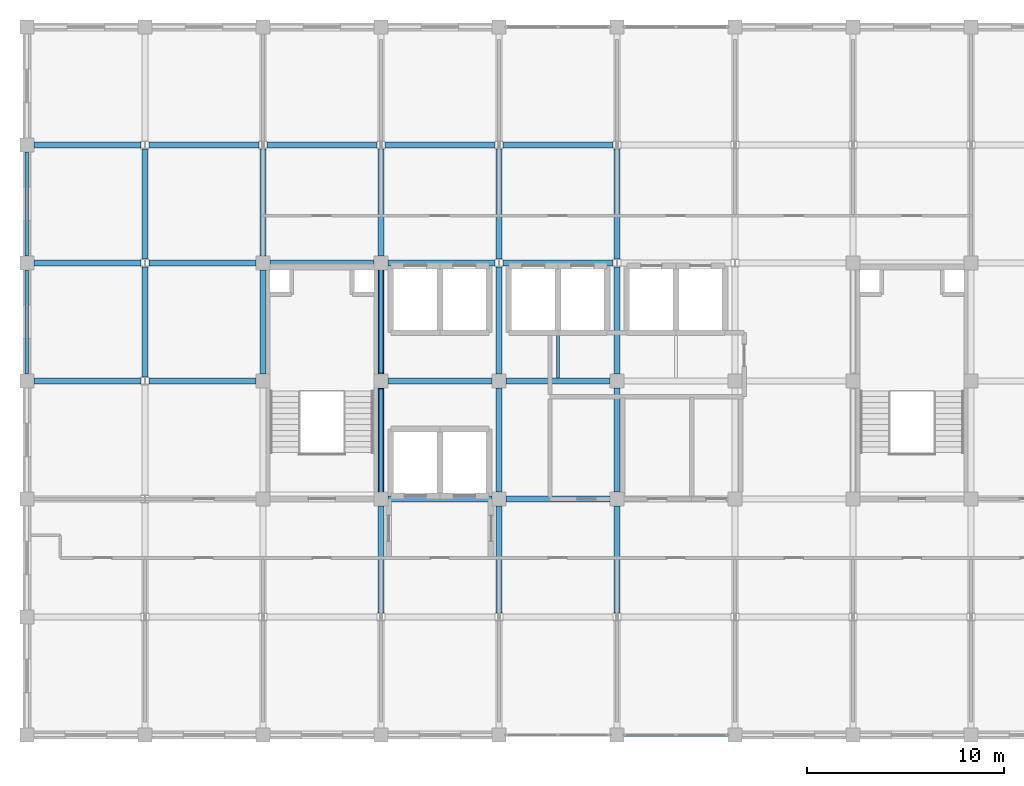
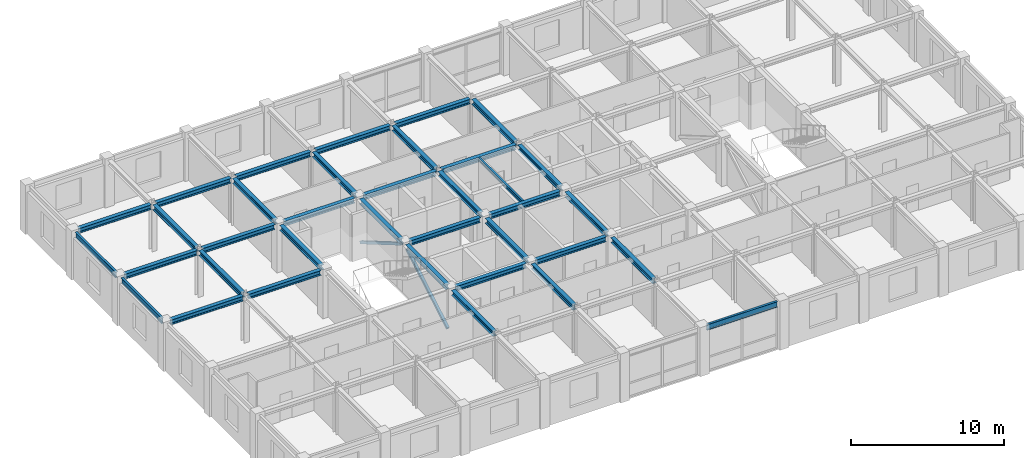
# One storey, part 5 of 14: 36 beams, 2 members.
"""IFC4 building model written with IfcOpenShell, lengths in metres."""

from ifc_helpers import new_model, si_unit, direction, frame, origin, origin_2d, place, context, subcontext, project, spatial, hollow_rectangle, i_section, extrude, material, material_profile, profile_set, type_object, element, save


model = new_model("IFC4")

# Units and contexts
model_context = context("Model", 3, precision=1e-05, world=origin(), true_north=direction((0.0, 1.0)))
body_context = subcontext(model_context, "Body", "Model", "MODEL_VIEW")
ifc_project = project(units=[si_unit("LENGTHUNIT", "METRE"), si_unit("AREAUNIT", "SQUARE_METRE"), si_unit("VOLUMEUNIT", "CUBIC_METRE"), si_unit("PLANEANGLEUNIT", "RADIAN"), si_unit("MASSUNIT", "GRAM", prefix="KILO")], contexts=[model_context])

# Site, building, storey
site_placement = place(None, origin())
site = spatial("IfcSite", under=ifc_project, at=site_placement, CompositionType="ELEMENT")
building_placement = place(site_placement, origin())
building = spatial("IfcBuilding", under=site, at=building_placement, Name="Zlatovratsky Civic Hall", CompositionType="ELEMENT")
storey_placement = place(building_placement, frame((0.0, 0.0, 28.800048828125)))
storey = spatial("IfcBuildingStorey", under=building, at=storey_placement, Name="L07", CompositionType="ELEMENT", Elevation=28.800048828125)

# Beams
ifc_material = material(Name="Steel S355", Category="steel")
ifc_material_profile_1 = material_profile(ifc_material, i_section(OverallWidth=0.169921875, OverallDepth=0.446044921875, WebThickness=0.007568359375, FlangeThickness=0.010986328125, FilletRadius=0.01611328125, at=origin_2d()), Name="45B1")
ifc_profile_set_1 = profile_set([ifc_material_profile_1], Name="Steel S355")
beam_type_1 = type_object("IfcBeamType", Name="Beam_Spandrel_45B1", PredefinedType="SPANDREL", material=ifc_profile_set_1)
for number, where, z_axis, x_axis, name in (
    (1, (84.35009765625, 72.0, 3.516845703125), (1.0, 0.0, 0.0), (0.0, 1.0, 0.0), "BM-4250"),
    (2, (54.0, 90.35009765625, 3.516845703125), (0.0, 1.0, 0.0), (-1.0, 0.0, 0.0), "BM-4316"),
    (3, (54.0, 96.35009765625, 3.516845703125), (0.0, 1.0, 0.0), (-1.0, 0.0, 0.0), "BM-4317"),
):
    element("IfcBeam", number, at=place(storey_placement, frame(where, z_axis=z_axis, x_axis=x_axis)), inside=storey, type_object=beam_type_1, Name=name, PredefinedType="SPANDREL", context=body_context, shape_type="SweptSolid", body=[
        extrude(i_section(OverallWidth=0.169921875, OverallDepth=0.446044921875, WebThickness=0.007568359375, FlangeThickness=0.010986328125, FilletRadius=0.01611328125, at=origin_2d()), origin(), (0.0, 0.0, 1.0), 5.2998046875),
    ])
ifc_material_profile_2 = material_profile(ifc_material, i_section(OverallWidth=0.300048828125, OverallDepth=0.387939453125, WebThickness=0.009521484375, FlangeThickness=0.013916015625, FilletRadius=0.02197265625, at=origin_2d()), Name="40Sh1")
ifc_profile_set_2 = profile_set([ifc_material_profile_2], Name="Steel S355")
beam_type_2 = type_object("IfcBeamType", Name="Beam_TowerMid_40Sh1", PredefinedType="BEAM", material=ifc_profile_set_2)
for number, where, z_axis, x_axis, name in (
    (4, (72.35009765625, 84.0, 3.5458984375), (1.0, 0.0, 0.0), (0.0, 1.0, 0.0), "BM-4268"),
    (5, (78.35009765625, 84.0, 3.5458984375), (1.0, 0.0, 0.0), (0.0, 1.0, 0.0), "BM-4269"),
):
    element("IfcBeam", number, at=place(storey_placement, frame(where, z_axis=z_axis, x_axis=x_axis)), inside=storey, type_object=beam_type_2, Name=name, PredefinedType="BEAM", context=body_context, shape_type="SweptSolid", body=[
        extrude(i_section(OverallWidth=0.300048828125, OverallDepth=0.387939453125, WebThickness=0.009521484375, FlangeThickness=0.013916015625, FilletRadius=0.02197265625, at=origin_2d()), origin(), (0.0, 0.0, 1.0), 5.2998046875),
    ])
for number, where, z_axis, x_axis, name in (
    (6, (54.35009765625, 90.0, 3.5458984375), (1.0, 0.0, 0.0), (0.0, 1.0, 0.0), "BM-4275"),
    (7, (60.198974609375, 90.0, 3.5458984375), (1.0, 0.0, 0.0), (0.0, 1.0, 0.0), "BM-4276"),
):
    element("IfcBeam", number, at=place(storey_placement, frame(where, z_axis=z_axis, x_axis=x_axis)), inside=storey, type_object=beam_type_2, Name=name, PredefinedType="BEAM", context=body_context, shape_type="SweptSolid", body=[
        extrude(i_section(OverallWidth=0.300048828125, OverallDepth=0.387939453125, WebThickness=0.009521484375, FlangeThickness=0.013916015625, FilletRadius=0.02197265625, at=origin_2d()), origin(), (0.0, 0.0, 1.0), 5.450927734375),
    ])
for number, where, z_axis, x_axis, name in (
    (8, (72.35009765625, 90.0, 3.5458984375), (1.0, 0.0, 0.0), (0.0, 1.0, 0.0), "BM-4277"),
    (9, (78.35009765625, 90.0, 3.5458984375), (1.0, 0.0, 0.0), (0.0, 1.0, 0.0), "BM-4278"),
):
    element("IfcBeam", number, at=place(storey_placement, frame(where, z_axis=z_axis, x_axis=x_axis)), inside=storey, type_object=beam_type_2, Name=name, PredefinedType="BEAM", context=body_context, shape_type="SweptSolid", body=[
        extrude(i_section(OverallWidth=0.300048828125, OverallDepth=0.387939453125, WebThickness=0.009521484375, FlangeThickness=0.013916015625, FilletRadius=0.02197265625, at=origin_2d()), origin(), (0.0, 0.0, 1.0), 5.2998046875),
    ])
for number, where, z_axis, x_axis, name in (
    (10, (54.35009765625, 96.0, 3.5458984375), (1.0, 0.0, 0.0), (0.0, 1.0, 0.0), "BM-4283"),
    (11, (60.198974609375, 96.0, 3.5458984375), (1.0, 0.0, 0.0), (0.0, 1.0, 0.0), "BM-4284"),
):
    element("IfcBeam", number, at=place(storey_placement, frame(where, z_axis=z_axis, x_axis=x_axis)), inside=storey, type_object=beam_type_2, Name=name, PredefinedType="BEAM", context=body_context, shape_type="SweptSolid", body=[
        extrude(i_section(OverallWidth=0.300048828125, OverallDepth=0.387939453125, WebThickness=0.009521484375, FlangeThickness=0.013916015625, FilletRadius=0.02197265625, at=origin_2d()), origin(), (0.0, 0.0, 1.0), 5.450927734375),
    ])
beam_1_placement = place(storey_placement, frame((66.35009765625, 96.0, 3.5458984375), z_axis=(1.0, 0.0, 0.0), x_axis=(0.0, 1.0, 0.0)))
element("IfcBeam", 12, at=beam_1_placement, inside=storey, type_object=beam_type_2, Name="BM-4285", PredefinedType="BEAM", context=body_context, shape_type="SweptSolid", body=[
    extrude(i_section(OverallWidth=0.300048828125, OverallDepth=0.387939453125, WebThickness=0.009521484375, FlangeThickness=0.013916015625, FilletRadius=0.02197265625, at=origin_2d()), origin(), (0.0, 0.0, 1.0), 5.2998046875),
])
beam_2_placement = place(storey_placement, frame((72.35009765625, 96.0, 3.5458984375), z_axis=(1.0, 0.0, 0.0), x_axis=(0.0, 1.0, 0.0)))
element("IfcBeam", 13, at=beam_2_placement, inside=storey, type_object=beam_type_2, Name="BM-4286", PredefinedType="BEAM", context=body_context, shape_type="SweptSolid", body=[
    extrude(i_section(OverallWidth=0.300048828125, OverallDepth=0.387939453125, WebThickness=0.009521484375, FlangeThickness=0.013916015625, FilletRadius=0.02197265625, at=origin_2d()), origin(), (0.0, 0.0, 1.0), 5.450927734375),
])
beam_3_placement = place(storey_placement, frame((78.198974609375, 96.0, 3.5458984375), z_axis=(1.0, 0.0, 0.0), x_axis=(0.0, 1.0, 0.0)))
element("IfcBeam", 14, at=beam_3_placement, inside=storey, type_object=beam_type_2, Name="BM-4287", PredefinedType="BEAM", context=body_context, shape_type="SweptSolid", body=[
    extrude(i_section(OverallWidth=0.300048828125, OverallDepth=0.387939453125, WebThickness=0.009521484375, FlangeThickness=0.013916015625, FilletRadius=0.02197265625, at=origin_2d()), origin(), (0.0, 0.0, 1.0), 5.60205078125),
])
beam_4_placement = place(storey_placement, frame((54.35009765625, 102.0, 3.5458984375), z_axis=(1.0, 0.0, 0.0), x_axis=(0.0, 1.0, 0.0)))
element("IfcBeam", 15, at=beam_4_placement, inside=storey, type_object=beam_type_2, Name="BM-4293", PredefinedType="BEAM", context=body_context, shape_type="SweptSolid", body=[
    extrude(i_section(OverallWidth=0.300048828125, OverallDepth=0.387939453125, WebThickness=0.009521484375, FlangeThickness=0.013916015625, FilletRadius=0.02197265625, at=origin_2d()), origin(), (0.0, 0.0, 1.0), 5.450927734375),
])
for number, where, z_axis, x_axis, name in (
    (16, (60.198974609375, 102.0, 3.5458984375), (1.0, 0.0, 0.0), (0.0, 1.0, 0.0), "BM-4294"),
    (17, (66.198974609375, 102.0, 3.5458984375), (1.0, 0.0, 0.0), (0.0, 1.0, 0.0), "BM-4295"),
    (18, (72.198974609375, 102.0, 3.5458984375), (1.0, 0.0, 0.0), (0.0, 1.0, 0.0), "BM-4296"),
    (19, (78.198974609375, 102.0, 3.5458984375), (1.0, 0.0, 0.0), (0.0, 1.0, 0.0), "BM-4297"),
):
    element("IfcBeam", number, at=place(storey_placement, frame(where, z_axis=z_axis, x_axis=x_axis)), inside=storey, type_object=beam_type_2, Name=name, PredefinedType="BEAM", context=body_context, shape_type="SweptSolid", body=[
        extrude(i_section(OverallWidth=0.300048828125, OverallDepth=0.387939453125, WebThickness=0.009521484375, FlangeThickness=0.013916015625, FilletRadius=0.02197265625, at=origin_2d()), origin(), (0.0, 0.0, 1.0), 5.60205078125),
    ])
for number, where, z_axis, x_axis, name in (
    (20, (60.0, 90.197021484375, 3.5458984375), (0.0, 1.0, 0.0), (-1.0, 0.0, 0.0), "BM-4322"),
    (21, (60.0, 96.197021484375, 3.5458984375), (0.0, 1.0, 0.0), (-1.0, 0.0, 0.0), "BM-4323"),
):
    element("IfcBeam", number, at=place(storey_placement, frame(where, z_axis=z_axis, x_axis=x_axis)), inside=storey, type_object=beam_type_2, Name=name, PredefinedType="BEAM", context=body_context, shape_type="SweptSolid", body=[
        extrude(i_section(OverallWidth=0.300048828125, OverallDepth=0.387939453125, WebThickness=0.009521484375, FlangeThickness=0.013916015625, FilletRadius=0.02197265625, at=origin_2d()), origin(), (0.0, 0.0, 1.0), 5.60595703125),
    ])
beam_5_placement = place(storey_placement, frame((66.0, 90.35009765625, 3.5458984375), z_axis=(0.0, 1.0, 0.0), x_axis=(-1.0, 0.0, 0.0)))
element("IfcBeam", 22, at=beam_5_placement, inside=storey, type_object=beam_type_2, Name="BM-4328", PredefinedType="BEAM", context=body_context, shape_type="SweptSolid", body=[
    extrude(i_section(OverallWidth=0.300048828125, OverallDepth=0.387939453125, WebThickness=0.009521484375, FlangeThickness=0.013916015625, FilletRadius=0.02197265625, at=origin_2d()), origin(), (0.0, 0.0, 1.0), 5.2998046875),
])
for number, where, z_axis, x_axis, name in (
    (23, (66.0, 96.35009765625, 3.5458984375), (0.0, 1.0, 0.0), (-1.0, 0.0, 0.0), "BM-4329"),
    (24, (72.0, 78.197021484375, 3.5458984375), (0.0, 1.0, 0.0), (-1.0, 0.0, 0.0), "BM-4332"),
):
    element("IfcBeam", number, at=place(storey_placement, frame(where, z_axis=z_axis, x_axis=x_axis)), inside=storey, type_object=beam_type_2, Name=name, PredefinedType="BEAM", context=body_context, shape_type="SweptSolid", body=[
        extrude(i_section(OverallWidth=0.300048828125, OverallDepth=0.387939453125, WebThickness=0.009521484375, FlangeThickness=0.013916015625, FilletRadius=0.02197265625, at=origin_2d()), origin(), (0.0, 0.0, 1.0), 5.452880859375),
    ])
for number, where, z_axis, x_axis, name in (
    (25, (72.0, 84.35009765625, 3.5458984375), (0.0, 1.0, 0.0), (-1.0, 0.0, 0.0), "BM-4333"),
    (26, (72.0, 90.35009765625, 3.5458984375), (0.0, 1.0, 0.0), (-1.0, 0.0, 0.0), "BM-4334"),
):
    element("IfcBeam", number, at=place(storey_placement, frame(where, z_axis=z_axis, x_axis=x_axis)), inside=storey, type_object=beam_type_2, Name=name, PredefinedType="BEAM", context=body_context, shape_type="SweptSolid", body=[
        extrude(i_section(OverallWidth=0.300048828125, OverallDepth=0.387939453125, WebThickness=0.009521484375, FlangeThickness=0.013916015625, FilletRadius=0.02197265625, at=origin_2d()), origin(), (0.0, 0.0, 1.0), 5.2998046875),
    ])
for number, where, z_axis, x_axis, name in (
    (27, (72.0, 96.35009765625, 3.5458984375), (0.0, 1.0, 0.0), (-1.0, 0.0, 0.0), "BM-4335"),
    (28, (78.0, 78.197021484375, 3.5458984375), (0.0, 1.0, 0.0), (-1.0, 0.0, 0.0), "BM-4338"),
):
    element("IfcBeam", number, at=place(storey_placement, frame(where, z_axis=z_axis, x_axis=x_axis)), inside=storey, type_object=beam_type_2, Name=name, PredefinedType="BEAM", context=body_context, shape_type="SweptSolid", body=[
        extrude(i_section(OverallWidth=0.300048828125, OverallDepth=0.387939453125, WebThickness=0.009521484375, FlangeThickness=0.013916015625, FilletRadius=0.02197265625, at=origin_2d()), origin(), (0.0, 0.0, 1.0), 5.452880859375),
    ])
beam_6_placement = place(storey_placement, frame((78.0, 84.35009765625, 3.5458984375), z_axis=(0.0, 1.0, 0.0), x_axis=(-1.0, 0.0, 0.0)))
element("IfcBeam", 29, at=beam_6_placement, inside=storey, type_object=beam_type_2, Name="BM-4339", PredefinedType="BEAM", context=body_context, shape_type="SweptSolid", body=[
    extrude(i_section(OverallWidth=0.300048828125, OverallDepth=0.387939453125, WebThickness=0.009521484375, FlangeThickness=0.013916015625, FilletRadius=0.02197265625, at=origin_2d()), origin(), (0.0, 0.0, 1.0), 5.2998046875),
])
beam_7_placement = place(storey_placement, frame((78.0, 90.35009765625, 3.5458984375), z_axis=(0.0, 1.0, 0.0), x_axis=(-1.0, 0.0, 0.0)))
element("IfcBeam", 30, at=beam_7_placement, inside=storey, type_object=beam_type_2, Name="BM-4340", PredefinedType="BEAM", context=body_context, shape_type="SweptSolid", body=[
    extrude(i_section(OverallWidth=0.300048828125, OverallDepth=0.387939453125, WebThickness=0.009521484375, FlangeThickness=0.013916015625, FilletRadius=0.02197265625, at=origin_2d()), origin(), (0.0, 0.0, 1.0), 5.452880859375),
])
beam_8_placement = place(storey_placement, frame((78.0, 96.197021484375, 3.5458984375), z_axis=(0.0, 1.0, 0.0), x_axis=(-1.0, 0.0, 0.0)))
element("IfcBeam", 31, at=beam_8_placement, inside=storey, type_object=beam_type_2, Name="BM-4341", PredefinedType="BEAM", context=body_context, shape_type="SweptSolid", body=[
    extrude(i_section(OverallWidth=0.300048828125, OverallDepth=0.387939453125, WebThickness=0.009521484375, FlangeThickness=0.013916015625, FilletRadius=0.02197265625, at=origin_2d()), origin(), (0.0, 0.0, 1.0), 5.60595703125),
])
beam_9_placement = place(storey_placement, frame((84.0, 78.197021484375, 3.5458984375), z_axis=(0.0, 1.0, 0.0), x_axis=(-1.0, 0.0, 0.0)))
element("IfcBeam", 32, at=beam_9_placement, inside=storey, type_object=beam_type_2, Name="BM-4344", PredefinedType="BEAM", context=body_context, shape_type="SweptSolid", body=[
    extrude(i_section(OverallWidth=0.300048828125, OverallDepth=0.387939453125, WebThickness=0.009521484375, FlangeThickness=0.013916015625, FilletRadius=0.02197265625, at=origin_2d()), origin(), (0.0, 0.0, 1.0), 5.452880859375),
])
beam_10_placement = place(storey_placement, frame((84.0, 84.35009765625, 3.5458984375), z_axis=(0.0, 1.0, 0.0), x_axis=(-1.0, 0.0, 0.0)))
element("IfcBeam", 33, at=beam_10_placement, inside=storey, type_object=beam_type_2, Name="BM-4345", PredefinedType="BEAM", context=body_context, shape_type="SweptSolid", body=[
    extrude(i_section(OverallWidth=0.300048828125, OverallDepth=0.387939453125, WebThickness=0.009521484375, FlangeThickness=0.013916015625, FilletRadius=0.02197265625, at=origin_2d()), origin(), (0.0, 0.0, 1.0), 5.2998046875),
])
beam_11_placement = place(storey_placement, frame((84.0, 90.35009765625, 3.5458984375), z_axis=(0.0, 1.0, 0.0), x_axis=(-1.0, 0.0, 0.0)))
element("IfcBeam", 34, at=beam_11_placement, inside=storey, type_object=beam_type_2, Name="BM-4346", PredefinedType="BEAM", context=body_context, shape_type="SweptSolid", body=[
    extrude(i_section(OverallWidth=0.300048828125, OverallDepth=0.387939453125, WebThickness=0.009521484375, FlangeThickness=0.013916015625, FilletRadius=0.02197265625, at=origin_2d()), origin(), (0.0, 0.0, 1.0), 5.452880859375),
])
beam_12_placement = place(storey_placement, frame((84.0, 96.197021484375, 3.5458984375), z_axis=(0.0, 1.0, 0.0), x_axis=(-1.0, 0.0, 0.0)))
element("IfcBeam", 35, at=beam_12_placement, inside=storey, type_object=beam_type_2, Name="BM-4347", PredefinedType="BEAM", context=body_context, shape_type="SweptSolid", body=[
    extrude(i_section(OverallWidth=0.300048828125, OverallDepth=0.387939453125, WebThickness=0.009521484375, FlangeThickness=0.013916015625, FilletRadius=0.02197265625, at=origin_2d()), origin(), (0.0, 0.0, 1.0), 5.60595703125),
])

# Members
ifc_material_profile_3 = material_profile(ifc_material, hollow_rectangle(XDim=0.199951171875, YDim=0.199951171875, WallThickness=0.010009765625, at=origin_2d()), Name="SHS 200x200x10")
ifc_profile_set_3 = profile_set([ifc_material_profile_3], Name="Steel S355")
member_type = type_object("IfcMemberType", Name="Brace_TowerLow_SHS200", PredefinedType="BRACE", material=ifc_profile_set_3)
for number, where, z_axis, x_axis, name in (
    (36, (72.0, 84.35009765625, 0.25), (0.0, 0.863189891905, 0.504879401949), (-1.0, 0.0, 0.0), "MB-0132"),
    (37, (72.0, 90.35009765625, 3.349853515625), (0.0, 0.863189891905, -0.504879401949), (-1.0, 0.0, 0.0), "MB-0133"),
):
    element("IfcMember", number, at=place(storey_placement, frame(where, z_axis=z_axis, x_axis=x_axis)), inside=storey, type_object=member_type, Name=name, PredefinedType="BRACE", context=body_context, shape_type="SweptSolid", body=[
        extrude(hollow_rectangle(XDim=0.199951171875, YDim=0.199951171875, WallThickness=0.010009765625, at=origin_2d()), origin(), (0.0, 0.0, 1.0), 6.139892578125),
    ])

# Beam
ifc_material_profile_4 = material_profile(ifc_material, i_section(OverallWidth=0.14892578125, OverallDepth=0.2958984375, WebThickness=0.005615234375, FlangeThickness=0.008056640625, FilletRadius=0.012939453125, at=origin_2d()), Name="30B1")
ifc_profile_set_4 = profile_set([ifc_material_profile_4], Name="Steel S355")
beam_type_3 = type_object("IfcBeamType", Name="Joist_Tower_30B1", PredefinedType="JOIST", material=ifc_profile_set_4)
beam_13_placement = place(storey_placement, frame((81.0, 90.14990234375, 3.592041015625), z_axis=(0.0, 1.0, 0.0), x_axis=(-1.0, 0.0, 0.0)))
element("IfcBeam", 38, at=beam_13_placement, inside=storey, type_object=beam_type_3, Name="BM-4379", PredefinedType="JOIST", context=body_context, shape_type="SweptSolid", body=[
    extrude(i_section(OverallWidth=0.14892578125, OverallDepth=0.2958984375, WebThickness=0.005615234375, FlangeThickness=0.008056640625, FilletRadius=0.012939453125, at=origin_2d()), origin(), (0.0, 0.0, 1.0), 5.7001953125),
])

save(model, "model.ifc")
